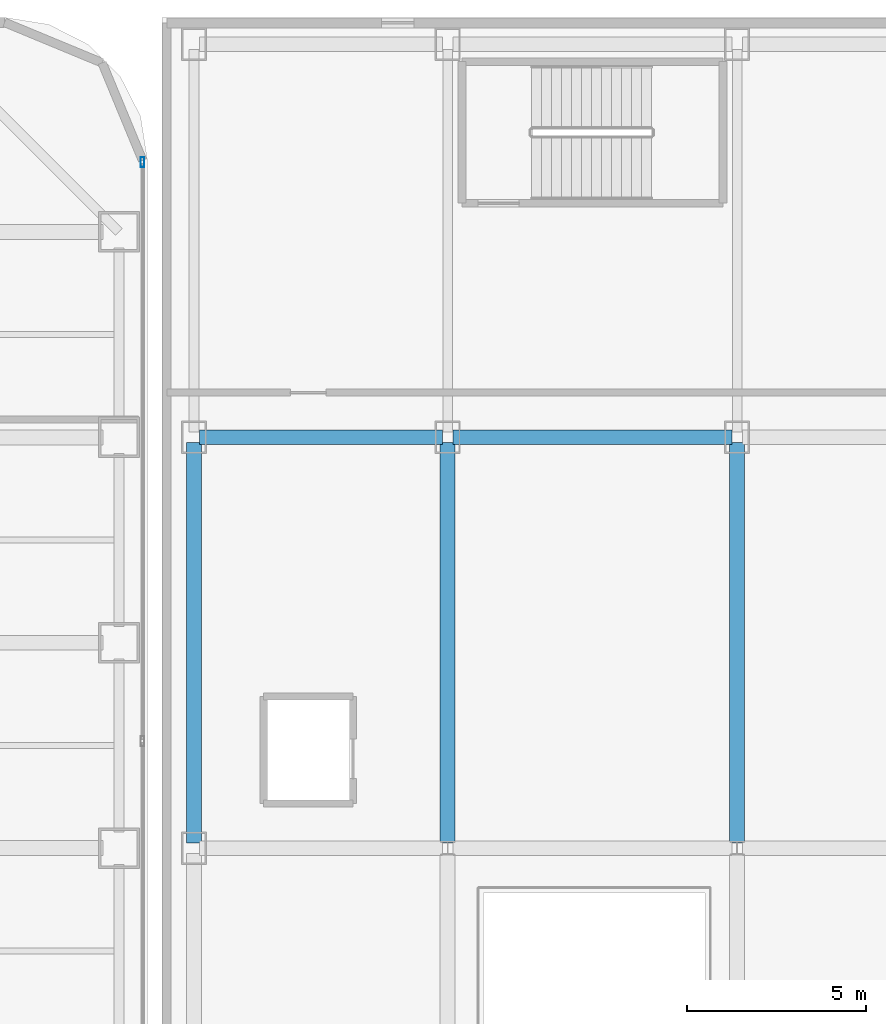
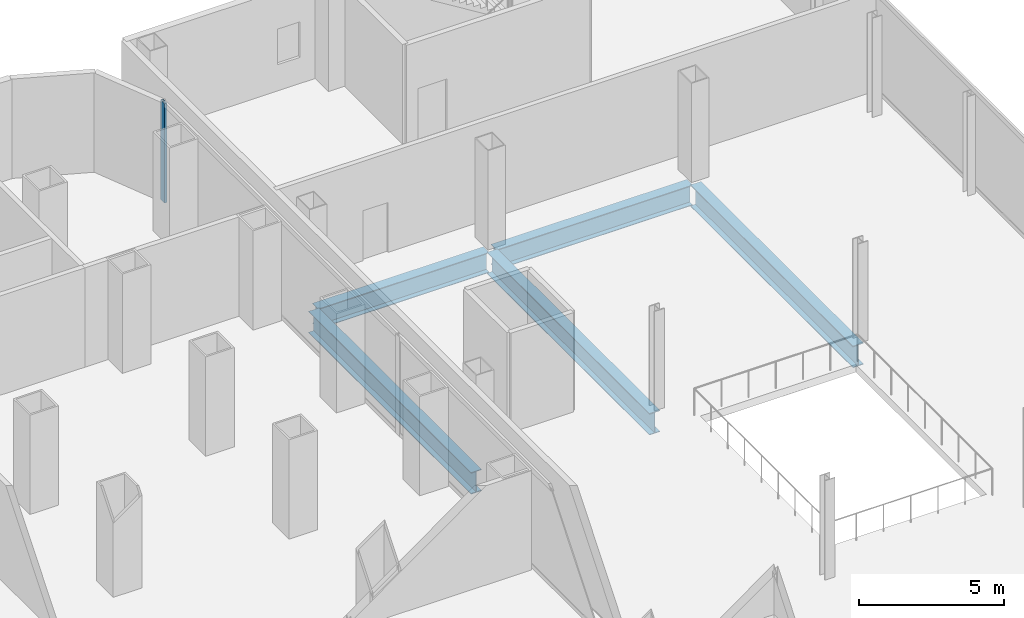
# One storey, part 14 of 26: 5 beams, 1 member, 1 element without a shape of its own.
"""IFC4 building model written with IfcOpenShell, lengths in metres."""

import ifcopenshell
import ifcopenshell.guid

model = None  # the IFC model being written
_history = None  # IfcOwnerHistory: only IFC2X3 demands one
_inside = {}  # id of a spatial element -> (the spatial element, [elements in it])
_under = {}  # id of a project, library or spatial element -> (it, [spatial elements below it])
_declared = {}  # id of a project -> (the project, [libraries it declares])
_typed = {}  # id of a type object -> (the type object, [elements of that type])
_made_of = {}  # id of a material, layer set ... -> (it, [elements and type objects made of it])


def new_model(schema):
    """Start an empty IFC model of exactly this schema.

    Asked for "IFC4X3", IfcOpenShell would pick the latest addendum, in which some entities
    have other attributes; the version numbers below select the first issue.
    IFC2X3 requires an IfcOwnerHistory on every rooted entity: one is made here for all.
    """
    global model, _history
    if schema == "IFC4X3":
        model = ifcopenshell.file(schema_version=(4, 3, 0, 0))
    else:
        model = ifcopenshell.file(schema=schema)
    _inside.clear()
    _under.clear()
    _declared.clear()
    _typed.clear()
    _made_of.clear()
    _history = None
    if model.schema == "IFC2X3":
        org = make("IfcOrganization", Name="unknown")
        user = make(
            "IfcPersonAndOrganization",
            ThePerson=make("IfcPerson", FamilyName="unknown"),
            TheOrganization=org,
        )
        app = make(
            "IfcApplication",
            ApplicationDeveloper=org,
            Version="unknown",
            ApplicationFullName="unknown",
            ApplicationIdentifier="unknown",
        )
        _history = make(
            "IfcOwnerHistory",
            OwningUser=user,
            OwningApplication=app,
            ChangeAction="ADDED",
            CreationDate=0,
        )
    return model


def make(cls, **values):
    """One entity of the class cls with the attributes given. An attribute that is None is left unset."""
    return model.create_entity(
        cls, **{name: value for name, value in values.items() if value is not None}
    )


def rooted(cls, **values):
    """An entity with a GlobalId (a new one), such as an element, a storey or a relation."""
    return make(cls, GlobalId=ifcopenshell.guid.new(), OwnerHistory=_history, **values)


def si_unit(unit_type, name, prefix=None):
    """IfcSIUnit, for example si_unit("LENGTHUNIT", "METRE", prefix="MILLI")."""
    return make("IfcSIUnit", UnitType=unit_type, Prefix=prefix, Name=name)


def assignment(units):
    """IfcUnitAssignment: the units of a project."""
    return None if units is None else make("IfcUnitAssignment", Units=units)


def point(xyz):
    """IfcCartesianPoint."""
    return None if xyz is None else make("IfcCartesianPoint", Coordinates=xyz)


def direction(xyz):
    """IfcDirection."""
    return None if xyz is None else make("IfcDirection", DirectionRatios=xyz)


def frame(location, z_axis=None, x_axis=None):
    """IfcAxis2Placement3D, a coordinate frame: its origin and axes. An axis left out is left unset."""
    return make(
        "IfcAxis2Placement3D",
        Location=point(location),
        Axis=direction(z_axis),
        RefDirection=direction(x_axis),
    )


def frame_2d(location, x_axis=None):
    """IfcAxis2Placement2D, a coordinate frame in the plane: its origin and x axis."""
    return make(
        "IfcAxis2Placement2D", Location=point(location), RefDirection=direction(x_axis)
    )


def origin():
    """The frame at (0, 0, 0) with its axes left unset."""
    return frame((0.0, 0.0, 0.0))


def origin_2d():
    """The frame at (0, 0) in the plane with its x axis left unset."""
    return frame_2d((0.0, 0.0))


def place(relative_to, where):
    """IfcLocalPlacement: puts the frame where relative to a parent placement (None: the world)."""
    return make(
        "IfcLocalPlacement", PlacementRelTo=relative_to, RelativePlacement=where
    )


def context(
    kind, dimensions, precision=None, world=None, true_north=None, identifier=None
):
    """IfcGeometricRepresentationContext, for example the 3D "Model" context."""
    return make(
        "IfcGeometricRepresentationContext",
        ContextIdentifier=identifier,
        ContextType=kind,
        CoordinateSpaceDimension=dimensions,
        Precision=precision,
        WorldCoordinateSystem=world,
        TrueNorth=true_north,
    )


def subcontext(parent, identifier, kind, view, scale=None):
    """IfcGeometricRepresentationSubContext, for example "Body" below "Model"."""
    return make(
        "IfcGeometricRepresentationSubContext",
        ContextIdentifier=identifier,
        ContextType=kind,
        ParentContext=parent,
        TargetScale=scale,
        TargetView=view,
    )


def project(units=None, contexts=None):
    """IfcProject with its units and contexts."""
    return rooted(
        "IfcProject",
        Name="project",
        RepresentationContexts=contexts,
        UnitsInContext=assignment(units),
    )


def spatial(cls, under=None, at=None, **own):
    """A site, building, storey or space (cls), placed at a placement, below another one or the project."""
    s = rooted(cls, ObjectPlacement=at, **own)
    if under is not None:
        _under.setdefault(under.id(), (under, []))[1].append(s)
    return s


def profile(cls, at=None, kind="AREA", **sizes):
    """A parametric profile (cls). Its sizes go by their IFC names, for example OverallWidth=200.0."""
    return make(cls, ProfileType=kind, Position=at, **sizes)


def hollow_rectangle(**sizes):
    """IfcRectangleHollowProfileDef."""
    return profile("IfcRectangleHollowProfileDef", **sizes)


def i_section(**sizes):
    """IfcIShapeProfileDef."""
    return profile("IfcIShapeProfileDef", **sizes)


def extrude(swept, where, along, depth):
    """IfcExtrudedAreaSolid: the profile swept, set in the frame where, extruded along a direction by depth."""
    return make(
        "IfcExtrudedAreaSolid",
        SweptArea=swept,
        Position=where,
        ExtrudedDirection=direction(along),
        Depth=depth,
    )


def shape(context_of_items, identifier, shape_type, items):
    """IfcShapeRepresentation: the items that make up one representation, for example the "Body"."""
    return make(
        "IfcShapeRepresentation",
        ContextOfItems=context_of_items,
        RepresentationIdentifier=identifier,
        RepresentationType=shape_type,
        Items=items,
    )


def source(mapping_origin, context_of_items, identifier, shape_type, items):
    """IfcRepresentationMap: a shape defined once, which mapped items show again and again."""
    return make(
        "IfcRepresentationMap",
        MappingOrigin=mapping_origin,
        MappedRepresentation=shape(context_of_items, identifier, shape_type, items),
    )


def transform(
    local_origin,
    x_axis=None,
    y_axis=None,
    z_axis=None,
    scale=None,
    scale2=None,
    scale3=None,
    uniform=True,
):
    """IfcCartesianTransformationOperator3D, or its non-uniform kind. x_axis, y_axis, z_axis: its Axis1, 2, 3."""
    if uniform:
        return make(
            "IfcCartesianTransformationOperator3D",
            Axis1=direction(x_axis),
            Axis2=direction(y_axis),
            LocalOrigin=point(local_origin),
            Scale=scale,
            Axis3=direction(z_axis),
        )
    return make(
        "IfcCartesianTransformationOperator3DnonUniform",
        Axis1=direction(x_axis),
        Axis2=direction(y_axis),
        LocalOrigin=point(local_origin),
        Scale=scale,
        Axis3=direction(z_axis),
        Scale2=scale2,
        Scale3=scale3,
    )


def mapped(mapping_source, mapping_target):
    """IfcMappedItem: shows the shape of a source again, moved by a transform."""
    return make(
        "IfcMappedItem", MappingSource=mapping_source, MappingTarget=mapping_target
    )


def material(Name=None, Category=None):
    """IfcMaterial."""
    return make("IfcMaterial", Name=Name, Category=Category)


def layer(
    of_material, thickness, ventilated=None, Name=None, Category=None, Priority=None
):
    """IfcMaterialLayer: one layer of a wall or slab, of a material (None: an air gap)."""
    return make(
        "IfcMaterialLayer",
        Material=of_material,
        LayerThickness=thickness,
        IsVentilated=ventilated,
        Name=Name,
        Category=Category,
        Priority=Priority,
    )


def layer_set(layers, Name=None):
    """IfcMaterialLayerSet."""
    return make("IfcMaterialLayerSet", MaterialLayers=layers, LayerSetName=Name)


def material_profile(
    of_material, cross_section, Name=None, Category=None, Priority=None
):
    """IfcMaterialProfile: a cross section and its material."""
    return make(
        "IfcMaterialProfile",
        Name=Name,
        Material=of_material,
        Profile=cross_section,
        Priority=Priority,
        Category=Category,
    )


def profile_set(profiles, Name=None, composite=None):
    """IfcMaterialProfileSet."""
    return make(
        "IfcMaterialProfileSet",
        Name=Name,
        MaterialProfiles=profiles,
        CompositeProfile=composite,
    )


def made_of(thing, what):
    """Note that an element or type object is made of a material, layer set ...; save() writes the relation."""
    if what is not None:
        _made_of.setdefault(what.id(), (what, []))[1].append(thing)
    return thing


def type_object(cls, material=None, **own):
    """A type object (cls), such as IfcWallType, which elements share."""
    return made_of(rooted(cls, **own), material)


def element(
    cls,
    number,
    at=None,
    inside=None,
    cuts=None,
    type_object=None,
    material=None,
    context=None,
    identifier="Body",
    shape_type=None,
    held_by="IfcProductDefinitionShape",
    body=None,
    shapes=None,
    **own,
):
    """One element of the class cls, such as IfcWall. Its Tag is "e" and its number.

    at: its placement. inside: the storey or other place that contains it. cuts: it is an
    opening in that element (IfcRelVoidsElement). A single representation is given by context,
    identifier, shape_type and body (its items); several are given by shapes. held_by: the class
    of the entity that holds the representations. save() writes the other relations.
    """
    e = rooted(cls, Tag="e%d" % number, ObjectPlacement=at, **own)
    if body is not None:
        shapes = [shape(context, identifier, shape_type, body)]
    if shapes is not None:
        e.Representation = make(held_by, Representations=shapes)
    if inside is not None:
        _inside.setdefault(inside.id(), (inside, []))[1].append(e)
    if cuts is not None:
        rooted(
            "IfcRelVoidsElement", RelatingBuildingElement=cuts, RelatedOpeningElement=e
        )
    if type_object is not None:
        _typed.setdefault(type_object.id(), (type_object, []))[1].append(e)
    return made_of(e, material)


def aggregate(whole, parts):
    """IfcRelAggregates: a whole, such as a stair, and the parts it consists of."""
    return rooted("IfcRelAggregates", RelatingObject=whole, RelatedObjects=parts)


def save(model, path):
    """Write the relations noted so far, then the file.

    IfcRelAggregates (storeys below a building ...), IfcRelContainedInSpatialStructure (elements
    in a storey), IfcRelDefinesByType, IfcRelAssociatesMaterial and IfcRelDeclares: one each for
    every whole, place, type object, material and project.
    """
    for whole, parts in _under.values():
        aggregate(whole, parts)
    for where, things in _inside.values():
        rooted(
            "IfcRelContainedInSpatialStructure",
            RelatedElements=things,
            RelatingStructure=where,
        )
    for kind, things in _typed.values():
        rooted("IfcRelDefinesByType", RelatedObjects=things, RelatingType=kind)
    for what, things in _made_of.values():
        rooted("IfcRelAssociatesMaterial", RelatedObjects=things, RelatingMaterial=what)
    for by, libraries in _declared.values():
        rooted("IfcRelDeclares", RelatingContext=by, RelatedDefinitions=libraries)
    model.write(path)


model = new_model("IFC4")

# Units and contexts
model_context = context("Model", 3, precision=1e-05, world=origin(), true_north=direction((0.0, 1.0)))
body_context = subcontext(model_context, "Body", "Model", "MODEL_VIEW")
ifc_project = project(units=[si_unit("LENGTHUNIT", "METRE"), si_unit("AREAUNIT", "SQUARE_METRE"), si_unit("VOLUMEUNIT", "CUBIC_METRE"), si_unit("PLANEANGLEUNIT", "RADIAN"), si_unit("MASSUNIT", "GRAM", prefix="KILO")], contexts=[model_context])

# Site, building, storey
site_placement = place(None, origin())
site = spatial("IfcSite", under=ifc_project, at=site_placement, CompositionType="ELEMENT")
building_placement = place(site_placement, origin())
building = spatial("IfcBuilding", under=site, at=building_placement, Name="Kolveth Station Tower", CompositionType="ELEMENT")
storey_placement = place(building_placement, frame((0.0, 0.0, 4.5)))
storey = spatial("IfcBuildingStorey", under=building, at=storey_placement, Name="L01", CompositionType="ELEMENT", Elevation=4.5)

# Beams
ifc_material_1 = material(Name="Steel S355", Category="steel")
ifc_material_profile_1 = material_profile(ifc_material_1, i_section(OverallWidth=0.40087890625, OverallDepth=0.85107421875, WebThickness=0.01611328125, FlangeThickness=0.025390625, at=origin_2d()), Name="W840x226")
ifc_profile_set_1 = profile_set([ifc_material_profile_1], Name="Steel S355")
beam_type_1 = type_object("IfcBeamType", Name="Beam_B2", PredefinedType="BEAM", material=ifc_profile_set_1)
shared_shape_1 = source(origin(), body_context, "Body", "SweptSolid", [
    extrude(i_section(OverallWidth=0.40087890625, OverallDepth=0.85107421875, WebThickness=0.01611328125, FlangeThickness=0.025390625, at=origin_2d()), origin(), (0.0, 0.0, 1.0), 6.800048828125),
])
beam_1_placement = place(storey_placement, frame((48.449951171875, 28.75, -0.74560546875), z_axis=(1.0, 0.0, 0.0), x_axis=(0.0, 1.0, 0.0)))
element("IfcBeam", 1, at=beam_1_placement, inside=storey, type_object=beam_type_1, Name="L01 Station Portal Girder SBM-L01-EW-5-1", PredefinedType="BEAM", context=body_context, shape_type="MappedRepresentation", body=[
    mapped(shared_shape_1, transform((0.0, 0.0, 0.0), x_axis=(1.0, 0.0, 0.0), y_axis=(0.0, 1.0, 0.0), z_axis=(0.0, 0.0, 1.0), scale=1.0)),
])
shared_shape_2 = source(origin(), body_context, "Body", "SweptSolid", [
    extrude(i_section(OverallWidth=0.40087890625, OverallDepth=0.85107421875, WebThickness=0.01611328125, FlangeThickness=0.025390625, at=origin_2d()), origin(), (0.0, 0.0, 1.0), 7.800048828125),
])
beam_2_placement = place(storey_placement, frame((55.550048828125, 28.75, -0.74560546875), z_axis=(1.0, 0.0, 0.0), x_axis=(0.0, 1.0, 0.0)))
element("IfcBeam", 2, at=beam_2_placement, inside=storey, type_object=beam_type_1, Name="L01 Station Portal Girder SBM-L01-EW-5-2", PredefinedType="BEAM", context=body_context, shape_type="MappedRepresentation", body=[
    mapped(shared_shape_2, transform((0.0, 0.0, 0.0), x_axis=(1.0, 0.0, 0.0), y_axis=(0.0, 1.0, 0.0), z_axis=(0.0, 0.0, 1.0), scale=1.0)),
])
ifc_material_profile_2 = material_profile(ifc_material_1, i_section(OverallWidth=0.41796875, OverallDepth=0.912109375, WebThickness=0.019287109375, FlangeThickness=0.031982421875, at=origin_2d()), Name="W920x342")
ifc_profile_set_2 = profile_set([ifc_material_profile_2], Name="Steel S355")
beam_type_2 = type_object("IfcBeamType", Name="Beam_B1", PredefinedType="BEAM", material=ifc_profile_set_2)
shared_shape_3 = source(origin(), body_context, "Body", "SweptSolid", [
    extrude(i_section(OverallWidth=0.41796875, OverallDepth=0.912109375, WebThickness=0.019287109375, FlangeThickness=0.031982421875, at=origin_2d()), origin(), (0.0, 0.0, 1.0), 11.2001953125),
])
for number, where, z_axis, x_axis, name in (
    (3, (48.300048828125, 17.39990234375, -0.77587890625), (0.0, 1.0, 0.0), (-1.0, 0.0, 0.0), "L01 Station Spine Girder SBM-L01-NS-1-4"),
    (4, (55.39990234375, 17.39990234375, -0.77587890625), (0.0, 1.0, 0.0), (-1.0, 0.0, 0.0), "L01 Station Spine Girder SBM-L01-NS-2-4"),
    (5, (63.5, 17.39990234375, -0.77587890625), (0.0, 1.0, 0.0), (-1.0, 0.0, 0.0), "L01 Station Spine Girder SBM-L01-NS-3-4"),
):
    element("IfcBeam", number, at=place(storey_placement, frame(where, z_axis=z_axis, x_axis=x_axis)), inside=storey, type_object=beam_type_2, Name=name, PredefinedType="BEAM", context=body_context, shape_type="MappedRepresentation", body=[
        mapped(shared_shape_3, transform((0.0, 0.0, 0.0), x_axis=(1.0, 0.0, 0.0), y_axis=(0.0, 1.0, 0.0), z_axis=(0.0, 0.0, 1.0), scale=1.0)),
    ])

# Curtain wall, member
ifc_material_2 = material(Name="Black anodized aluminium 6063-T6 and clear station glass", Category="aluminium")
ifc_layer = layer(ifc_material_2, 0.239990234375)
ifc_layer_set = layer_set([ifc_layer], Name="Black anodized aluminium 6063-T6 and clear station glass")
curtain_wall_type = type_object("IfcCurtainWallType", Name="CurtainWall_CW-ST", PredefinedType="NOTDEFINED", material=ifc_layer_set)
curtain_wall_placement = place(storey_placement, origin())
curtain_wall = element("IfcCurtainWall", 6, at=curtain_wall_placement, inside=storey, type_object=curtain_wall_type, Name="L01 Tower Podium East Storefront Curtain Wall", PredefinedType="NOTDEFINED")
ifc_material_3 = material(Name="Black anodized aluminium 6063-T6", Category="aluminium")
ifc_material_profile_3 = material_profile(ifc_material_3, hollow_rectangle(XDim=0.10009765625, YDim=0.280029296875, WallThickness=0.0048828125, at=origin_2d()), Name="ALU-100x280x5")
ifc_profile_set_3 = profile_set([ifc_material_profile_3], Name="Black anodized aluminium 6063-T6")
member_type = type_object("IfcMemberType", Name="Mullion_ML-ST", PredefinedType="MULLION", material=ifc_profile_set_3)
shared_shape_4 = source(origin(), body_context, "Body", "SweptSolid", [
    extrude(hollow_rectangle(XDim=0.10009765625, YDim=0.280029296875, WallThickness=0.0048828125, at=origin_2d()), origin(), (0.0, 0.0, 1.0), 4.179931640625),
])
member_placement = place(storey_placement, frame((46.860107421875, 36.449951171875, 0.0), z_axis=(0.0, 0.0, 1.0), x_axis=(-1.0, 0.0, 0.0)))
member = element("IfcMember", 7, at=member_placement, type_object=member_type, Name="CW-ST mullion 3", PredefinedType="MULLION", context=body_context, shape_type="MappedRepresentation", body=[
    mapped(shared_shape_4, transform((0.0, 0.0, 0.0), x_axis=(1.0, 0.0, 0.0), y_axis=(0.0, 1.0, 0.0), z_axis=(0.0, 0.0, 1.0), scale=1.0)),
])
aggregate(curtain_wall, [member])

save(model, "model.ifc")
